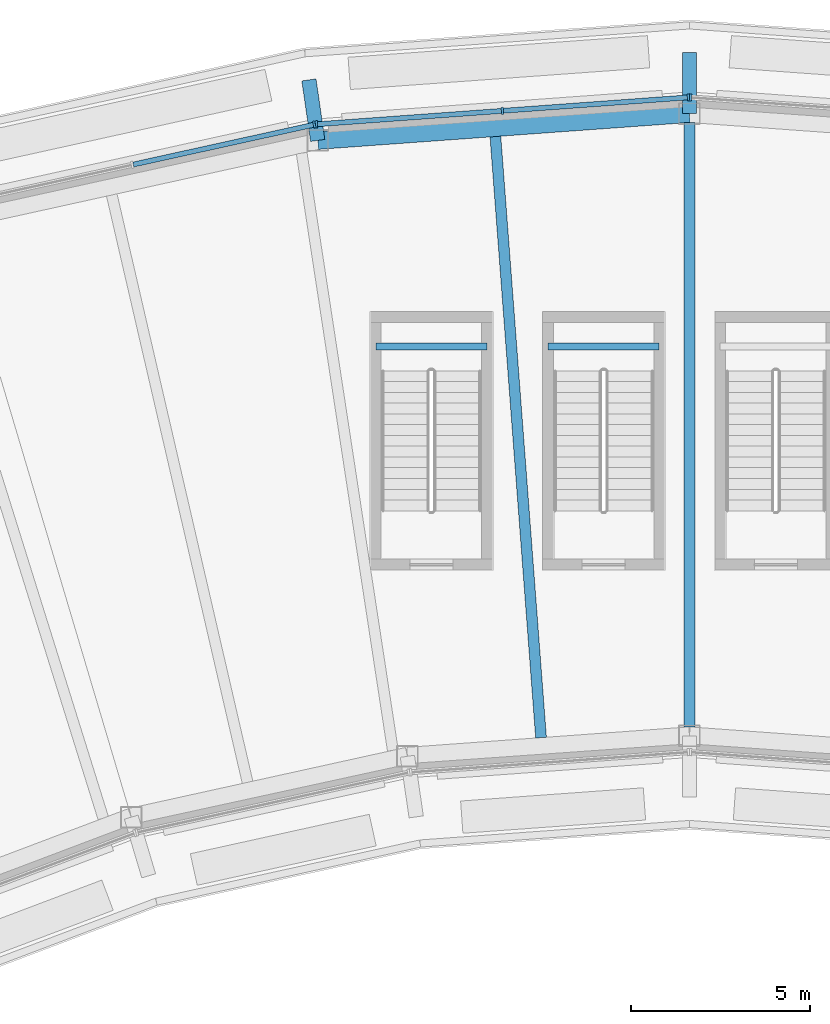
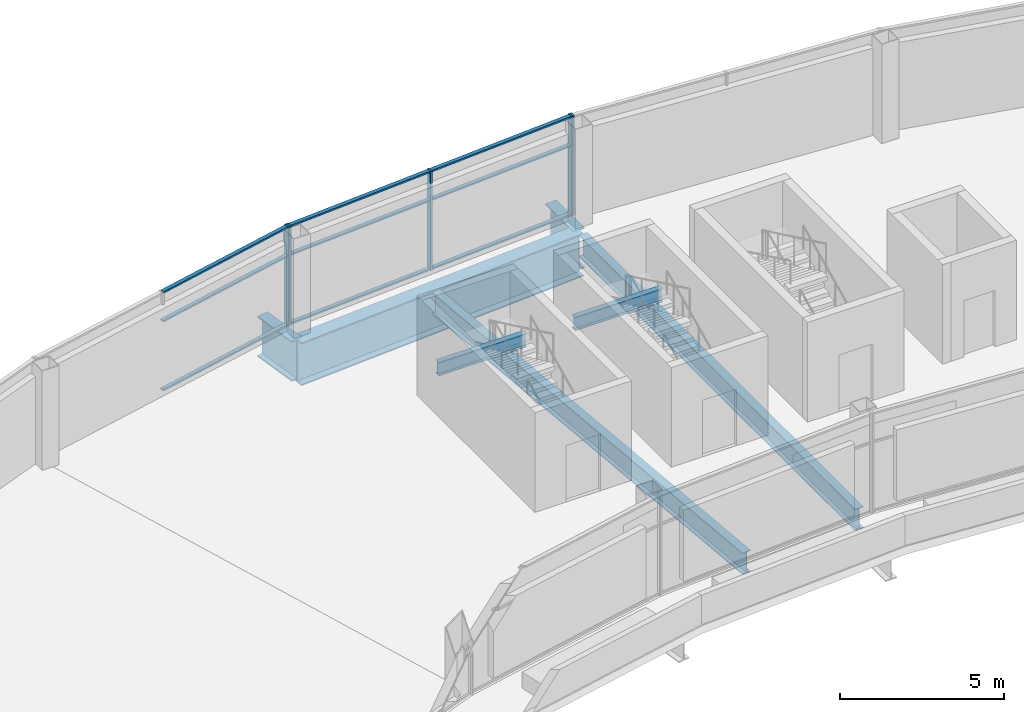
# One storey, part 6 of 17: 14 members, 7 beams, 3 elements without a shape of their own.
"""IFC4 building model written with IfcOpenShell, lengths in metres."""

from ifc_helpers import new_model, si_unit, direction, frame, origin, origin_2d, place, context, subcontext, project, spatial, rectangle, i_section, extrude, material, layer, layer_set, material_profile, profile_set, type_object, element, aggregate, save


model = new_model("IFC4")

# Units and contexts
model_context = context("Model", 3, precision=1e-05, world=origin(), true_north=direction((0.0, 1.0)))
body_context = subcontext(model_context, "Body", "Model", "MODEL_VIEW")
ifc_project = project(units=[si_unit("LENGTHUNIT", "METRE"), si_unit("AREAUNIT", "SQUARE_METRE"), si_unit("VOLUMEUNIT", "CUBIC_METRE"), si_unit("PLANEANGLEUNIT", "RADIAN"), si_unit("MASSUNIT", "GRAM", prefix="KILO")], contexts=[model_context])

# Site, building, storey
site_placement = place(None, origin())
site = spatial("IfcSite", under=ifc_project, at=site_placement, CompositionType="ELEMENT")
building_placement = place(site_placement, origin())
building = spatial("IfcBuilding", under=site, at=building_placement, Name="Tuul Gate Civic Tower", CompositionType="ELEMENT")
storey_placement = place(building_placement, frame((0.0, 0.0, 360.10009765625)))
storey = spatial("IfcBuildingStorey", under=building, at=storey_placement, Name="Crown tier 1 lower", CompositionType="ELEMENT", Elevation=360.10009765625)

# Curtain wall, member
ifc_material_1 = material(Name="Aluminium", Category="aluminium")
ifc_layer = layer(ifc_material_1, 0.199951171875)
ifc_layer_set = layer_set([ifc_layer], Name="Aluminium")
curtain_wall_type = type_object("IfcCurtainWallType", Name="Curtain wall CW5", PredefinedType="NOTDEFINED", material=ifc_layer_set)
curtain_wall_1_placement = place(storey_placement, origin())
curtain_wall_1 = element("IfcCurtainWall", 1, at=curtain_wall_1_placement, inside=storey, type_object=curtain_wall_type, Name="Curtain wall CW5", PredefinedType="NOTDEFINED")
ifc_material_2 = material(Name="Aluminium", Category="aluminium")
ifc_material_profile_1 = material_profile(ifc_material_2, rectangle(XDim=0.199951171875, YDim=0.06005859375, at=origin_2d()), Name="CW5 mullion")
ifc_profile_set_1 = profile_set([ifc_material_profile_1], Name="Aluminium")
member_type_1 = type_object("IfcMemberType", Name="CW5 mullion", PredefinedType="MULLION", material=ifc_profile_set_1)
member_1_placement = place(storey_placement, frame((2.221923828125, 12.271728515625, 0.0), z_axis=(0.0, 0.0, 1.0), x_axis=(-0.072225988978, -0.997388292751, 0.0)))
member_1 = element("IfcMember", 2, at=member_1_placement, type_object=member_type_1, Name="Mullion", PredefinedType="MULLION", context=body_context, shape_type="SweptSolid", body=[
    extrude(rectangle(XDim=0.199951171875, YDim=0.06005859375, at=origin_2d()), origin(), (0.0, 0.0, 1.0), 3.699951171875),
])
aggregate(curtain_wall_1, [member_1])

# Curtain wall, members
curtain_wall_2_placement = place(storey_placement, origin())
curtain_wall_2 = element("IfcCurtainWall", 3, at=curtain_wall_2_placement, inside=storey, type_object=curtain_wall_type, Name="Curtain wall CW5", PredefinedType="NOTDEFINED")
member_2_placement = place(storey_placement, frame((2.162109375, 12.271728515625, 0.0), z_axis=(0.0, 0.0, 1.0), x_axis=(0.072225988978, -0.997388292751, 0.0)))
member_2 = element("IfcMember", 4, at=member_2_placement, type_object=member_type_1, Name="Mullion", PredefinedType="MULLION", context=body_context, shape_type="SweptSolid", body=[
    extrude(rectangle(XDim=0.199951171875, YDim=0.06005859375, at=origin_2d()), origin(), (0.0, 0.0, 1.0), 3.699951171875),
])
member_3_placement = place(storey_placement, frame((-3.02099609375, 11.896484375, 0.0), z_axis=(0.0, 0.0, 1.0), x_axis=(0.072225988978, -0.997388292751, 0.0)))
member_3 = element("IfcMember", 5, at=member_3_placement, type_object=member_type_1, Name="Mullion", PredefinedType="MULLION", context=body_context, shape_type="SweptSolid", body=[
    extrude(rectangle(XDim=0.199951171875, YDim=0.06005859375, at=origin_2d()), origin(), (0.0, 0.0, 1.0), 3.699951171875),
])
member_4_placement = place(storey_placement, frame((-8.2041015625, 11.521240234375, 0.0), z_axis=(0.0, 0.0, 1.0), x_axis=(0.072225988978, -0.997388292751, 0.0)))
member_4 = element("IfcMember", 6, at=member_4_placement, type_object=member_type_1, Name="Mullion", PredefinedType="MULLION", context=body_context, shape_type="SweptSolid", body=[
    extrude(rectangle(XDim=0.199951171875, YDim=0.06005859375, at=origin_2d()), origin(), (0.0, 0.0, 1.0), 3.699951171875),
])

# Curtain wall, member
curtain_wall_3_placement = place(storey_placement, origin())
curtain_wall_3 = element("IfcCurtainWall", 7, at=curtain_wall_3_placement, inside=storey, type_object=curtain_wall_type, Name="Curtain wall CW5", PredefinedType="NOTDEFINED")
member_5_placement = place(storey_placement, frame((-8.26318359375, 11.512451171875, 0.0), z_axis=(0.0, 0.0, 1.0), x_axis=(0.215268775226, -0.976554839429, 0.0)))
member_5 = element("IfcMember", 8, at=member_5_placement, type_object=member_type_1, Name="Mullion", PredefinedType="MULLION", context=body_context, shape_type="SweptSolid", body=[
    extrude(rectangle(XDim=0.199951171875, YDim=0.06005859375, at=origin_2d()), origin(), (0.0, 0.0, 1.0), 3.699951171875),
])

# Member
ifc_material_3 = material(Name="Aluminium", Category="aluminium")
ifc_material_profile_2 = material_profile(ifc_material_3, rectangle(XDim=0.139892578125, YDim=0.06005859375, at=origin_2d()), Name="CW5 transom")
ifc_profile_set_2 = profile_set([ifc_material_profile_2], Name="Aluminium")
member_type_2 = type_object("IfcMemberType", Name="CW5 transom", PredefinedType="USERDEFINED", material=ifc_profile_set_2)
member_6_placement = place(storey_placement, frame((2.132080078125, 12.269775390625, 0.02978515625), z_axis=(-0.99738678185, -0.072246850382, 0.0), x_axis=(0.072246850382, -0.99738678185, 0.0)))
member_6 = element("IfcMember", 9, at=member_6_placement, type_object=member_type_2, Name="Transom", ObjectType="TRANSOM", PredefinedType="USERDEFINED", context=body_context, shape_type="SweptSolid", body=[
    extrude(rectangle(XDim=0.139892578125, YDim=0.06005859375, at=origin_2d()), origin(), (0.0, 0.0, 1.0), 5.136474609375),
])

member_7_placement = place(storey_placement, frame((2.132080078125, 12.269775390625, 2.599853515625), z_axis=(-0.99738678185, -0.072246850382, 0.0), x_axis=(0.072246850382, -0.99738678185, 0.0)))
member_7 = element("IfcMember", 10, at=member_7_placement, type_object=member_type_2, Name="Transom", ObjectType="TRANSOM", PredefinedType="USERDEFINED", context=body_context, shape_type="SweptSolid", body=[
    extrude(rectangle(XDim=0.139892578125, YDim=0.06005859375, at=origin_2d()), origin(), (0.0, 0.0, 1.0), 5.136474609375),
])

member_8_placement = place(storey_placement, frame((2.132080078125, 12.269775390625, 3.669921875), z_axis=(-0.99738678185, -0.072246850382, 0.0), x_axis=(0.072246850382, -0.99738678185, 0.0)))
member_8 = element("IfcMember", 11, at=member_8_placement, type_object=member_type_2, Name="Transom", ObjectType="TRANSOM", PredefinedType="USERDEFINED", context=body_context, shape_type="SweptSolid", body=[
    extrude(rectangle(XDim=0.139892578125, YDim=0.06005859375, at=origin_2d()), origin(), (0.0, 0.0, 1.0), 5.136474609375),
])

member_9_placement = place(storey_placement, frame((-3.051025390625, 11.894287109375, 0.02978515625), z_axis=(-0.99739020572, -0.072199567408, 0.0), x_axis=(0.072199567408, -0.99739020572, 0.0)))
member_9 = element("IfcMember", 12, at=member_9_placement, type_object=member_type_2, Name="Transom", ObjectType="TRANSOM", PredefinedType="USERDEFINED", context=body_context, shape_type="SweptSolid", body=[
    extrude(rectangle(XDim=0.139892578125, YDim=0.06005859375, at=origin_2d()), origin(), (0.0, 0.0, 1.0), 5.136474609375),
])

member_10_placement = place(storey_placement, frame((-3.051025390625, 11.894287109375, 2.599853515625), z_axis=(-0.99739020572, -0.072199567408, 0.0), x_axis=(0.072199567408, -0.99739020572, 0.0)))
member_10 = element("IfcMember", 13, at=member_10_placement, type_object=member_type_2, Name="Transom", ObjectType="TRANSOM", PredefinedType="USERDEFINED", context=body_context, shape_type="SweptSolid", body=[
    extrude(rectangle(XDim=0.139892578125, YDim=0.06005859375, at=origin_2d()), origin(), (0.0, 0.0, 1.0), 5.136474609375),
])

member_11_placement = place(storey_placement, frame((-3.051025390625, 11.894287109375, 3.669921875), z_axis=(-0.99739020572, -0.072199567408, 0.0), x_axis=(0.072199567408, -0.99739020572, 0.0)))
member_11 = element("IfcMember", 14, at=member_11_placement, type_object=member_type_2, Name="Transom", ObjectType="TRANSOM", PredefinedType="USERDEFINED", context=body_context, shape_type="SweptSolid", body=[
    extrude(rectangle(XDim=0.139892578125, YDim=0.06005859375, at=origin_2d()), origin(), (0.0, 0.0, 1.0), 5.136474609375),
])

aggregate(curtain_wall_2, [member_2, member_3, member_4, member_6, member_7, member_8, member_9, member_10, member_11])

member_12_placement = place(storey_placement, frame((-8.29248046875, 11.506103515625, 0.02978515625), z_axis=(-0.976551409814, -0.215284332897, 0.0), x_axis=(0.215284332897, -0.976551409814, 0.0)))
member_12 = element("IfcMember", 15, at=member_12_placement, type_object=member_type_2, Name="Transom", ObjectType="TRANSOM", PredefinedType="USERDEFINED", context=body_context, shape_type="SweptSolid", body=[
    extrude(rectangle(XDim=0.139892578125, YDim=0.06005859375, at=origin_2d()), origin(), (0.0, 0.0, 1.0), 5.135986328125),
])

member_13_placement = place(storey_placement, frame((-8.29248046875, 11.506103515625, 2.599853515625), z_axis=(-0.976551409814, -0.215284332897, 0.0), x_axis=(0.215284332897, -0.976551409814, 0.0)))
member_13 = element("IfcMember", 16, at=member_13_placement, type_object=member_type_2, Name="Transom", ObjectType="TRANSOM", PredefinedType="USERDEFINED", context=body_context, shape_type="SweptSolid", body=[
    extrude(rectangle(XDim=0.139892578125, YDim=0.06005859375, at=origin_2d()), origin(), (0.0, 0.0, 1.0), 5.135986328125),
])

member_14_placement = place(storey_placement, frame((-8.29248046875, 11.506103515625, 3.669921875), z_axis=(-0.976551409814, -0.215284332897, 0.0), x_axis=(0.215284332897, -0.976551409814, 0.0)))
member_14 = element("IfcMember", 17, at=member_14_placement, type_object=member_type_2, Name="Transom", ObjectType="TRANSOM", PredefinedType="USERDEFINED", context=body_context, shape_type="SweptSolid", body=[
    extrude(rectangle(XDim=0.139892578125, YDim=0.06005859375, at=origin_2d()), origin(), (0.0, 0.0, 1.0), 5.135986328125),
])

aggregate(curtain_wall_3, [member_5, member_12, member_13, member_14])

# Beams
ifc_material_4 = material(Name="Steel S355", Category="steel")
ifc_material_profile_3 = material_profile(ifc_material_4, i_section(OverallWidth=0.39990234375, OverallDepth=1.5, WebThickness=0.02490234375, FlangeThickness=0.0400390625, at=origin_2d()), Name="PG1500x400x25x40")
ifc_profile_set_3 = profile_set([ifc_material_profile_3], Name="Steel S355")
beam_type_1 = type_object("IfcBeamType", Name="STR-FLOOR BEAM-PG1500x400x25x40", PredefinedType="BEAM", material=ifc_profile_set_3)
beam_1_placement = place(storey_placement, frame((2.19189453125, 13.528076171875, -1.050048828125), z_axis=(0.0, -1.0, 0.0), x_axis=(1.0, 0.0, 0.0)))
element("IfcBeam", 18, at=beam_1_placement, inside=storey, type_object=beam_type_1, Name="Ring girder stub", PredefinedType="BEAM", context=body_context, shape_type="SweptSolid", body=[
    extrude(i_section(OverallWidth=0.39990234375, OverallDepth=1.5, WebThickness=0.02490234375, FlangeThickness=0.0400390625, at=origin_2d()), origin(), (0.0, 0.0, 1.0), 1.7060546875),
])
beam_2_placement = place(storey_placement, frame((-8.413818359375, 12.759033203125, -1.050048828125), z_axis=(0.144207567748, -0.989547460915, 0.0), x_axis=(0.989547460915, 0.144207567748, 0.0)))
element("IfcBeam", 19, at=beam_2_placement, inside=storey, type_object=beam_type_1, Name="Ring girder stub", PredefinedType="BEAM", context=body_context, shape_type="SweptSolid", body=[
    extrude(i_section(OverallWidth=0.39990234375, OverallDepth=1.5, WebThickness=0.02490234375, FlangeThickness=0.0400390625, at=origin_2d()), origin(), (0.0, 0.0, 1.0), 1.704833984375),
])
ifc_material_5 = material(Name="Steel S355", Category="steel")
ifc_material_profile_4 = material_profile(ifc_material_5, i_section(OverallWidth=0.199951171875, OverallDepth=0.5, WebThickness=0.010009765625, FlangeThickness=0.01611328125, at=origin_2d()), Name="PG500x200x10x16")
ifc_profile_set_4 = profile_set([ifc_material_profile_4], Name="Steel S355")
beam_type_2 = type_object("IfcBeamType", Name="STR-FLOOR BEAM-PG500x200x10x16", PredefinedType="BEAM", material=ifc_profile_set_4)
for number, where, z_axis, x_axis, name in (
    (20, (-6.550048828125, 5.324951171875, 1.5498046875), (1.0, 0.0, 0.0), (0.0, 1.0, 0.0), "Landing support beam"),
    (21, (-1.75, 5.324951171875, 1.5498046875), (1.0, 0.0, 0.0), (0.0, 1.0, 0.0), "Landing support beam"),
):
    element("IfcBeam", number, at=place(storey_placement, frame(where, z_axis=z_axis, x_axis=x_axis)), inside=storey, type_object=beam_type_2, Name=name, PredefinedType="BEAM", context=body_context, shape_type="SweptSolid", body=[
        extrude(i_section(OverallWidth=0.199951171875, OverallDepth=0.5, WebThickness=0.010009765625, FlangeThickness=0.01611328125, at=origin_2d()), origin(), (0.0, 0.0, 1.0), 3.10009765625),
    ])
ifc_material_6 = material(Name="Steel S355", Category="steel")
ifc_material_profile_5 = material_profile(ifc_material_6, i_section(OverallWidth=0.300048828125, OverallDepth=0.800048828125, WebThickness=0.013916015625, FlangeThickness=0.02490234375, at=origin_2d()), Name="PG800x300x14x25")
ifc_profile_set_5 = profile_set([ifc_material_profile_5], Name="Steel S355")
beam_type_3 = type_object("IfcBeamType", Name="STR-FLOOR BEAM-PG800x300x14x25", PredefinedType="BEAM", material=ifc_profile_set_5)
beam_3_placement = place(storey_placement, frame((2.19189453125, -5.2724609375, -0.7001953125), z_axis=(0.0, 1.0, 0.0), x_axis=(-1.0, 0.0, 0.0)))
element("IfcBeam", 22, at=beam_3_placement, inside=storey, type_object=beam_type_3, Name="Floor beam", PredefinedType="BEAM", context=body_context, shape_type="SweptSolid", body=[
    extrude(i_section(OverallWidth=0.300048828125, OverallDepth=0.800048828125, WebThickness=0.013916015625, FlangeThickness=0.02490234375, at=origin_2d()), origin(), (0.0, 0.0, 1.0), 16.84375),
])
beam_4_placement = place(storey_placement, frame((-1.944580078125, -5.57177734375, -0.7001953125), z_axis=(-0.075684072889, 0.997131847406, 0.0), x_axis=(-0.997131847406, -0.075684072889, 0.0)))
element("IfcBeam", 23, at=beam_4_placement, inside=storey, type_object=beam_type_3, Name="Floor beam", PredefinedType="BEAM", context=body_context, shape_type="SweptSolid", body=[
    extrude(i_section(OverallWidth=0.300048828125, OverallDepth=0.800048828125, WebThickness=0.013916015625, FlangeThickness=0.02490234375, at=origin_2d()), origin(), (0.0, 0.0, 1.0), 16.7998046875),
])
ifc_material_7 = material(Name="Steel S355", Category="steel")
ifc_material_profile_6 = material_profile(ifc_material_7, i_section(OverallWidth=0.5, OverallDepth=1.60009765625, WebThickness=0.02490234375, FlangeThickness=0.044921875, at=origin_2d()), Name="PG1600x500x25x45")
ifc_profile_set_6 = profile_set([ifc_material_profile_6], Name="Steel S355")
beam_type_4 = type_object("IfcBeamType", Name="STR-RING BEAM-PG1600x500x25x45", PredefinedType="BEAM", material=ifc_profile_set_6)
beam_5_placement = place(storey_placement, frame((2.19189453125, 11.822021484375, -1.10009765625), z_axis=(-0.997389753839, -0.072205809582, 0.0), x_axis=(0.072205809582, -0.997389753839, 0.0)))
element("IfcBeam", 24, at=beam_5_placement, inside=storey, type_object=beam_type_4, Name="Ring girder", PredefinedType="BEAM", context=body_context, shape_type="SweptSolid", body=[
    extrude(i_section(OverallWidth=0.5, OverallDepth=1.60009765625, WebThickness=0.02490234375, FlangeThickness=0.044921875, at=origin_2d()), origin(), (0.0, 0.0, 1.0), 10.386962890625),
])

save(model, "model.ifc")
